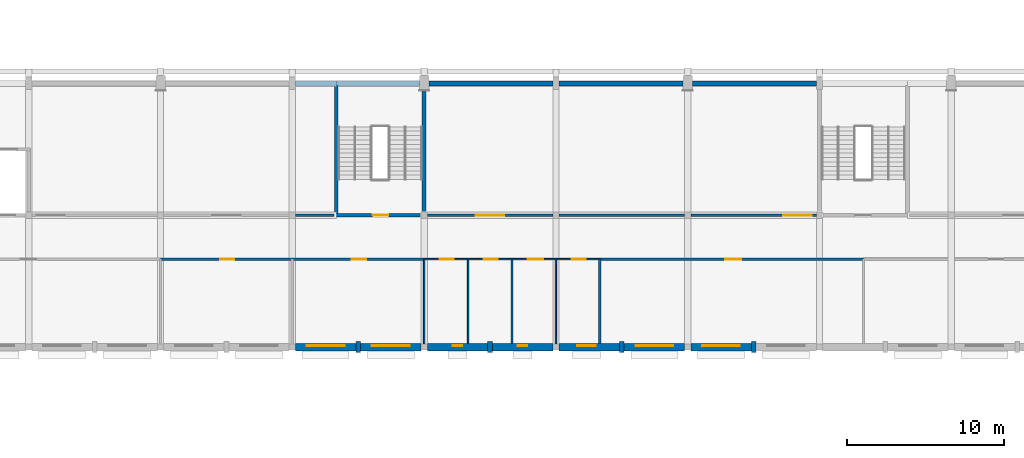
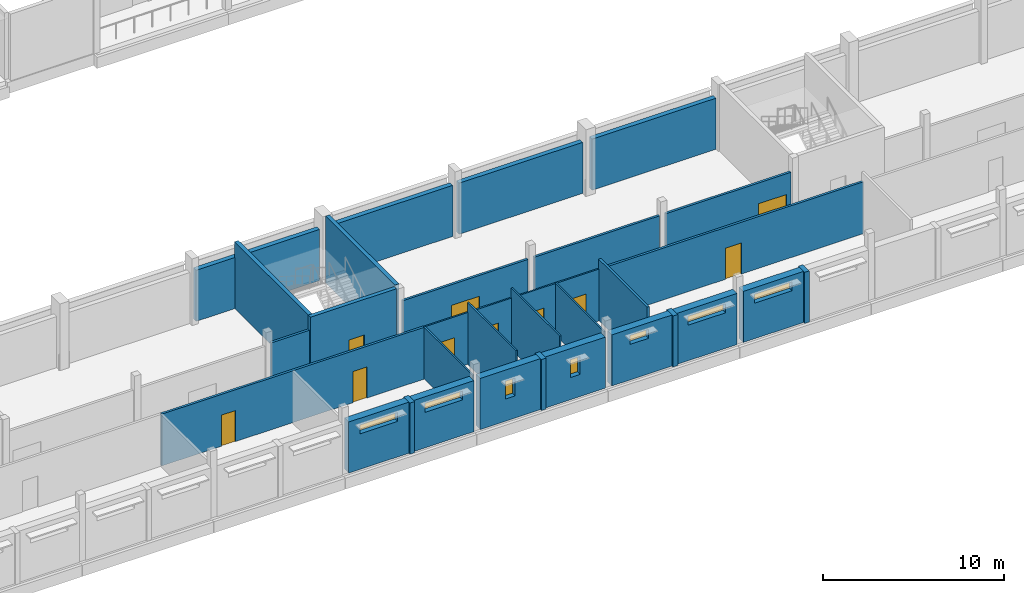
# One storey, part 33 of 60: 30 walls, 10 doors, 7 windows, 17 openings.
"""IFC4 building model written with IfcOpenShell, lengths in metres."""

import ifcopenshell
import ifcopenshell.guid

model = None  # the IFC model being written
_history = None  # IfcOwnerHistory: only IFC2X3 demands one
_inside = {}  # id of a spatial element -> (the spatial element, [elements in it])
_under = {}  # id of a project, library or spatial element -> (it, [spatial elements below it])
_declared = {}  # id of a project -> (the project, [libraries it declares])
_typed = {}  # id of a type object -> (the type object, [elements of that type])
_made_of = {}  # id of a material, layer set ... -> (it, [elements and type objects made of it])


def new_model(schema):
    """Start an empty IFC model of exactly this schema.

    Asked for "IFC4X3", IfcOpenShell would pick the latest addendum, in which some entities
    have other attributes; the version numbers below select the first issue.
    IFC2X3 requires an IfcOwnerHistory on every rooted entity: one is made here for all.
    """
    global model, _history
    if schema == "IFC4X3":
        model = ifcopenshell.file(schema_version=(4, 3, 0, 0))
    else:
        model = ifcopenshell.file(schema=schema)
    _inside.clear()
    _under.clear()
    _declared.clear()
    _typed.clear()
    _made_of.clear()
    _history = None
    if model.schema == "IFC2X3":
        org = make("IfcOrganization", Name="unknown")
        user = make(
            "IfcPersonAndOrganization",
            ThePerson=make("IfcPerson", FamilyName="unknown"),
            TheOrganization=org,
        )
        app = make(
            "IfcApplication",
            ApplicationDeveloper=org,
            Version="unknown",
            ApplicationFullName="unknown",
            ApplicationIdentifier="unknown",
        )
        _history = make(
            "IfcOwnerHistory",
            OwningUser=user,
            OwningApplication=app,
            ChangeAction="ADDED",
            CreationDate=0,
        )
    return model


def make(cls, **values):
    """One entity of the class cls with the attributes given. An attribute that is None is left unset."""
    return model.create_entity(
        cls, **{name: value for name, value in values.items() if value is not None}
    )


def rooted(cls, **values):
    """An entity with a GlobalId (a new one), such as an element, a storey or a relation."""
    return make(cls, GlobalId=ifcopenshell.guid.new(), OwnerHistory=_history, **values)


def si_unit(unit_type, name, prefix=None):
    """IfcSIUnit, for example si_unit("LENGTHUNIT", "METRE", prefix="MILLI")."""
    return make("IfcSIUnit", UnitType=unit_type, Prefix=prefix, Name=name)


def assignment(units):
    """IfcUnitAssignment: the units of a project."""
    return None if units is None else make("IfcUnitAssignment", Units=units)


def point(xyz):
    """IfcCartesianPoint."""
    return None if xyz is None else make("IfcCartesianPoint", Coordinates=xyz)


def direction(xyz):
    """IfcDirection."""
    return None if xyz is None else make("IfcDirection", DirectionRatios=xyz)


def frame(location, z_axis=None, x_axis=None):
    """IfcAxis2Placement3D, a coordinate frame: its origin and axes. An axis left out is left unset."""
    return make(
        "IfcAxis2Placement3D",
        Location=point(location),
        Axis=direction(z_axis),
        RefDirection=direction(x_axis),
    )


def frame_2d(location, x_axis=None):
    """IfcAxis2Placement2D, a coordinate frame in the plane: its origin and x axis."""
    return make(
        "IfcAxis2Placement2D", Location=point(location), RefDirection=direction(x_axis)
    )


def origin():
    """The frame at (0, 0, 0) with its axes left unset."""
    return frame((0.0, 0.0, 0.0))


def place(relative_to, where):
    """IfcLocalPlacement: puts the frame where relative to a parent placement (None: the world)."""
    return make(
        "IfcLocalPlacement", PlacementRelTo=relative_to, RelativePlacement=where
    )


def context(
    kind, dimensions, precision=None, world=None, true_north=None, identifier=None
):
    """IfcGeometricRepresentationContext, for example the 3D "Model" context."""
    return make(
        "IfcGeometricRepresentationContext",
        ContextIdentifier=identifier,
        ContextType=kind,
        CoordinateSpaceDimension=dimensions,
        Precision=precision,
        WorldCoordinateSystem=world,
        TrueNorth=true_north,
    )


def subcontext(parent, identifier, kind, view, scale=None):
    """IfcGeometricRepresentationSubContext, for example "Body" below "Model"."""
    return make(
        "IfcGeometricRepresentationSubContext",
        ContextIdentifier=identifier,
        ContextType=kind,
        ParentContext=parent,
        TargetScale=scale,
        TargetView=view,
    )


def project(units=None, contexts=None):
    """IfcProject with its units and contexts."""
    return rooted(
        "IfcProject",
        Name="project",
        RepresentationContexts=contexts,
        UnitsInContext=assignment(units),
    )


def spatial(cls, under=None, at=None, **own):
    """A site, building, storey or space (cls), placed at a placement, below another one or the project."""
    s = rooted(cls, ObjectPlacement=at, **own)
    if under is not None:
        _under.setdefault(under.id(), (under, []))[1].append(s)
    return s


def profile(cls, at=None, kind="AREA", **sizes):
    """A parametric profile (cls). Its sizes go by their IFC names, for example OverallWidth=200.0."""
    return make(cls, ProfileType=kind, Position=at, **sizes)


def rectangle(**sizes):
    """IfcRectangleProfileDef."""
    return profile("IfcRectangleProfileDef", **sizes)


def extrude(swept, where, along, depth):
    """IfcExtrudedAreaSolid: the profile swept, set in the frame where, extruded along a direction by depth."""
    return make(
        "IfcExtrudedAreaSolid",
        SweptArea=swept,
        Position=where,
        ExtrudedDirection=direction(along),
        Depth=depth,
    )


def shape(context_of_items, identifier, shape_type, items):
    """IfcShapeRepresentation: the items that make up one representation, for example the "Body"."""
    return make(
        "IfcShapeRepresentation",
        ContextOfItems=context_of_items,
        RepresentationIdentifier=identifier,
        RepresentationType=shape_type,
        Items=items,
    )


def material(Name=None, Category=None):
    """IfcMaterial."""
    return make("IfcMaterial", Name=Name, Category=Category)


def layer(
    of_material, thickness, ventilated=None, Name=None, Category=None, Priority=None
):
    """IfcMaterialLayer: one layer of a wall or slab, of a material (None: an air gap)."""
    return make(
        "IfcMaterialLayer",
        Material=of_material,
        LayerThickness=thickness,
        IsVentilated=ventilated,
        Name=Name,
        Category=Category,
        Priority=Priority,
    )


def layer_set(layers, Name=None):
    """IfcMaterialLayerSet."""
    return make("IfcMaterialLayerSet", MaterialLayers=layers, LayerSetName=Name)


def made_of(thing, what):
    """Note that an element or type object is made of a material, layer set ...; save() writes the relation."""
    if what is not None:
        _made_of.setdefault(what.id(), (what, []))[1].append(thing)
    return thing


def type_object(cls, material=None, **own):
    """A type object (cls), such as IfcWallType, which elements share."""
    return made_of(rooted(cls, **own), material)


def element(
    cls,
    number,
    at=None,
    inside=None,
    cuts=None,
    type_object=None,
    material=None,
    context=None,
    identifier="Body",
    shape_type=None,
    held_by="IfcProductDefinitionShape",
    body=None,
    shapes=None,
    **own,
):
    """One element of the class cls, such as IfcWall. Its Tag is "e" and its number.

    at: its placement. inside: the storey or other place that contains it. cuts: it is an
    opening in that element (IfcRelVoidsElement). A single representation is given by context,
    identifier, shape_type and body (its items); several are given by shapes. held_by: the class
    of the entity that holds the representations. save() writes the other relations.
    """
    e = rooted(cls, Tag="e%d" % number, ObjectPlacement=at, **own)
    if body is not None:
        shapes = [shape(context, identifier, shape_type, body)]
    if shapes is not None:
        e.Representation = make(held_by, Representations=shapes)
    if inside is not None:
        _inside.setdefault(inside.id(), (inside, []))[1].append(e)
    if cuts is not None:
        rooted(
            "IfcRelVoidsElement", RelatingBuildingElement=cuts, RelatedOpeningElement=e
        )
    if type_object is not None:
        _typed.setdefault(type_object.id(), (type_object, []))[1].append(e)
    return made_of(e, material)


def fill(opening, filler):
    """IfcRelFillsElement: the door or window that sits in an opening."""
    return rooted(
        "IfcRelFillsElement",
        RelatingOpeningElement=opening,
        RelatedBuildingElement=filler,
    )


def aggregate(whole, parts):
    """IfcRelAggregates: a whole, such as a stair, and the parts it consists of."""
    return rooted("IfcRelAggregates", RelatingObject=whole, RelatedObjects=parts)


def save(model, path):
    """Write the relations noted so far, then the file.

    IfcRelAggregates (storeys below a building ...), IfcRelContainedInSpatialStructure (elements
    in a storey), IfcRelDefinesByType, IfcRelAssociatesMaterial and IfcRelDeclares: one each for
    every whole, place, type object, material and project.
    """
    for whole, parts in _under.values():
        aggregate(whole, parts)
    for where, things in _inside.values():
        rooted(
            "IfcRelContainedInSpatialStructure",
            RelatedElements=things,
            RelatingStructure=where,
        )
    for kind, things in _typed.values():
        rooted("IfcRelDefinesByType", RelatedObjects=things, RelatingType=kind)
    for what, things in _made_of.values():
        rooted("IfcRelAssociatesMaterial", RelatedObjects=things, RelatingMaterial=what)
    for by, libraries in _declared.values():
        rooted("IfcRelDeclares", RelatingContext=by, RelatedDefinitions=libraries)
    model.write(path)


model = new_model("IFC4")

# Units and contexts
model_context = context("Model", 3, precision=1e-05, world=origin(), true_north=direction((0.0, 1.0)))
body_context = subcontext(model_context, "Body", "Model", "MODEL_VIEW")
ifc_project = project(units=[si_unit("LENGTHUNIT", "METRE"), si_unit("AREAUNIT", "SQUARE_METRE"), si_unit("VOLUMEUNIT", "CUBIC_METRE"), si_unit("PLANEANGLEUNIT", "RADIAN"), si_unit("MASSUNIT", "GRAM", prefix="KILO")], contexts=[model_context])

# Site, building, storey
site_placement = place(None, origin())
site = spatial("IfcSite", under=ifc_project, at=site_placement, CompositionType="ELEMENT")
building_placement = place(site_placement, origin())
building = spatial("IfcBuilding", under=site, at=building_placement, Name="Fescue Hill Polytechnic", CompositionType="ELEMENT")
storey_placement = place(building_placement, frame((0.0, 0.0, 4.5)))
storey = spatial("IfcBuildingStorey", under=building, at=storey_placement, Name="L01", CompositionType="ELEMENT", Elevation=4.5)

# Wall, opening, door
ifc_material_1 = material(Name="Concrete 40 MPa", Category="concrete")
ifc_layer_1 = layer(ifc_material_1, 0.25)
ifc_layer_set_1 = layer_set([ifc_layer_1], Name="Concrete 40 MPa")
wall_type_1 = type_object("IfcWallType", Name="Core wall 250", PredefinedType="SHEAR", material=ifc_layer_set_1)
wall_1_placement = place(storey_placement, frame((27.875, 8.39990234375, 0.0), z_axis=(0.0, 0.0, 1.0), x_axis=(1.0, 0.0, 0.0)))
wall_1 = element("IfcWall", 1, at=wall_1_placement, inside=storey, type_object=wall_type_1, Name="CW-L01-ST-V1-2-11", PredefinedType="SHEAR", context=body_context, shape_type="SweptSolid", body=[
    extrude(rectangle(XDim=5.5, YDim=0.25, at=frame_2d((2.75, 0.0))), origin(), (0.0, 0.0, 1.0), 4.5),
])
opening_1_placement = place(wall_1_placement, frame((2.449951171875, 0.0, 0.0)))
opening_1 = element("IfcOpeningElement", 2, at=opening_1_placement, cuts=wall_1, Name="Opening D1077", PredefinedType="OPENING", context=body_context, shape_type="SweptSolid", body=[
    extrude(rectangle(XDim=1.0, YDim=2.10009765625, at=frame_2d((0.5, 1.050048828125))), frame((0.0, 0.135009765625, 0.0), z_axis=(0.0, -1.0, 0.0), x_axis=(1.0, 0.0, 0.0)), (0.0, 0.0, 1.0), 0.27001953125),
])
ifc_material_2 = material(Name="Steel fire door", Category="steel")
door_type_1 = type_object("IfcDoorType", Name="Door single swing 1000x2100 stair fire rated", OperationType="NOTDEFINED", PredefinedType="DOOR", material=ifc_material_2)
door_1_placement = place(opening_1_placement, origin())
door_1 = element("IfcDoor", 3, at=door_1_placement, inside=storey, type_object=door_type_1, Name="L01 ST-V1-2 stair door", OperationType="SINGLE_SWING_RIGHT", OverallHeight=2.10009765625, OverallWidth=1.0, PredefinedType="DOOR", context=body_context, shape_type="SweptSolid", body=[
    extrude(rectangle(XDim=1.0, YDim=2.10009765625, at=frame_2d((0.5, 1.050048828125))), frame((0.0, 0.02490234375, 0.0), z_axis=(0.0, -1.0, 0.0), x_axis=(1.0, 0.0, 0.0)), (0.0, 0.0, 1.0), 0.050048828125),
])
fill(opening_1, door_1)

# Walls
wall_2_placement = place(storey_placement, frame((28.0, 8.52490234375, 0.0), z_axis=(0.0, 0.0, 1.0), x_axis=(0.0, 1.0, 0.0)))
element("IfcWall", 4, at=wall_2_placement, inside=storey, type_object=wall_type_1, Name="CW-L01-ST-V1-2-31", PredefinedType="SHEAR", context=body_context, shape_type="SweptSolid", body=[
    extrude(rectangle(XDim=8.150146484375, YDim=0.25, at=frame_2d((4.0751953125, 0.0))), origin(), (0.0, 0.0, 1.0), 4.5),
])
wall_3_placement = place(storey_placement, frame((33.60009765625, 8.625, 0.0), z_axis=(0.0, 0.0, 1.0), x_axis=(0.0, 1.0, 0.0)))
element("IfcWall", 5, at=wall_3_placement, inside=storey, type_object=wall_type_1, Name="CW-L01-ST-V1-2-41", PredefinedType="SHEAR", context=body_context, shape_type="SweptSolid", body=[
    extrude(rectangle(XDim=7.675048828125, YDim=0.25, at=frame_2d((3.83740234375, 0.0))), origin(), (0.0, 0.0, 1.0), 4.5),
])

# Wall, openings, doors
ifc_material_3 = material(Name="Gypsum board partition")
ifc_layer_2 = layer(ifc_material_3, 0.14990234375)
ifc_layer_set_2 = layer_set([ifc_layer_2], Name="Gypsum board partition")
wall_type_2 = type_object("IfcWallType", Name="Corridor wall 150 EI 45", PredefinedType="PARTITIONING", material=ifc_layer_set_2)
wall_4_placement = place(storey_placement, frame((16.800048828125, 5.60009765625, 0.0), z_axis=(0.0, 0.0, 1.0), x_axis=(1.0, 0.0, 0.0)))
wall_4 = element("IfcWall", 6, at=wall_4_placement, inside=storey, type_object=wall_type_2, Name="IW-L01-001", PredefinedType="PARTITIONING", context=body_context, shape_type="SweptSolid", body=[
    extrude(rectangle(XDim=16.800048828125, YDim=0.14990234375, at=frame_2d((8.39990234375, 0.0))), origin(), (0.0, 0.0, 1.0), 3.5),
])
opening_2_placement = place(wall_4_placement, frame((3.800048828125, 0.0, 0.0)))
opening_2 = element("IfcOpeningElement", 7, at=opening_2_placement, cuts=wall_4, Name="Opening D1013", PredefinedType="OPENING", context=body_context, shape_type="SweptSolid", body=[
    extrude(rectangle(XDim=0.89990234375, YDim=2.10009765625, at=frame_2d((0.449951171875, 1.050048828125))), frame((0.0, 0.0849609375, 0.0), z_axis=(0.0, -1.0, 0.0), x_axis=(1.0, 0.0, 0.0)), (0.0, 0.0, 1.0), 0.169921875),
])
opening_3_placement = place(wall_4_placement, frame((12.199951171875, 0.0, 0.0)))
opening_3 = element("IfcOpeningElement", 8, at=opening_3_placement, cuts=wall_4, Name="Opening D1014", PredefinedType="OPENING", context=body_context, shape_type="SweptSolid", body=[
    extrude(rectangle(XDim=0.89990234375, YDim=2.10009765625, at=frame_2d((0.449951171875, 1.050048828125))), frame((0.0, 0.0849609375, 0.0), z_axis=(0.0, -1.0, 0.0), x_axis=(1.0, 0.0, 0.0)), (0.0, 0.0, 1.0), 0.169921875),
])
ifc_material_4 = material(Name="Timber", Category="wood")
door_type_2 = type_object("IfcDoorType", Name="Door single swing 900x2100 FD30S", OperationType="SINGLE_SWING_LEFT", PredefinedType="DOOR", material=ifc_material_4)
door_2_placement = place(opening_2_placement, origin())
door_2 = element("IfcDoor", 9, at=door_2_placement, inside=storey, type_object=door_type_2, Name="Door D1013", OperationType="SINGLE_SWING_LEFT", OverallHeight=2.10009765625, OverallWidth=0.89990234375, PredefinedType="DOOR", context=body_context, shape_type="SweptSolid", body=[
    extrude(rectangle(XDim=0.89990234375, YDim=2.10009765625, at=frame_2d((0.449951171875, 1.050048828125))), frame((0.0, 0.02490234375, 0.0), z_axis=(0.0, -1.0, 0.0), x_axis=(1.0, 0.0, 0.0)), (0.0, 0.0, 1.0), 0.050048828125),
])
fill(opening_2, door_2)
door_3_placement = place(opening_3_placement, origin())
door_3 = element("IfcDoor", 10, at=door_3_placement, inside=storey, type_object=door_type_2, Name="Door D1014", OperationType="SINGLE_SWING_RIGHT", OverallHeight=2.10009765625, OverallWidth=0.89990234375, PredefinedType="DOOR", context=body_context, shape_type="SweptSolid", body=[
    extrude(rectangle(XDim=0.89990234375, YDim=2.10009765625, at=frame_2d((0.449951171875, 1.050048828125))), frame((0.0, 0.02490234375, 0.0), z_axis=(0.0, -1.0, 0.0), x_axis=(1.0, 0.0, 0.0)), (0.0, 0.0, 1.0), 0.050048828125),
])
fill(opening_3, door_3)

# Wall, opening, door
wall_5_placement = place(storey_placement, frame((33.800048828125, 8.39990234375, 0.0), z_axis=(0.0, 0.0, 1.0), x_axis=(1.0, 0.0, 0.0)))
wall_5 = element("IfcWall", 11, at=wall_5_placement, inside=storey, type_object=wall_type_2, Name="IW-L01-009", PredefinedType="PARTITIONING", context=body_context, shape_type="SweptSolid", body=[
    extrude(rectangle(XDim=8.0, YDim=0.14990234375, at=frame_2d((4.0, 0.0))), origin(), (0.0, 0.0, 1.0), 3.5),
])
opening_4_placement = place(wall_5_placement, frame((3.10009765625, 0.0, 0.0)))
opening_4 = element("IfcOpeningElement", 12, at=opening_4_placement, cuts=wall_5, Name="Opening D1028", PredefinedType="OPENING", context=body_context, shape_type="SweptSolid", body=[
    extrude(rectangle(XDim=1.800048828125, YDim=2.10009765625, at=frame_2d((0.89990234375, 1.050048828125))), frame((0.0, 0.0849609375, 0.0), z_axis=(0.0, -1.0, 0.0), x_axis=(1.0, 0.0, 0.0)), (0.0, 0.0, 1.0), 0.169921875),
])
door_type_3 = type_object("IfcDoorType", Name="Door double swing 1800x2100 FD30S", OperationType="DOUBLE_DOOR_SINGLE_SWING", PredefinedType="DOOR", material=ifc_material_4)
door_4_placement = place(opening_4_placement, origin())
door_4 = element("IfcDoor", 13, at=door_4_placement, inside=storey, type_object=door_type_3, Name="Door D1028", OperationType="DOUBLE_DOOR_SINGLE_SWING", OverallHeight=2.10009765625, OverallWidth=1.800048828125, PredefinedType="DOOR", context=body_context, shape_type="SweptSolid", body=[
    extrude(rectangle(XDim=1.800048828125, YDim=2.10009765625, at=frame_2d((0.89990234375, 1.050048828125))), frame((0.0, 0.02490234375, 0.0), z_axis=(0.0, -1.0, 0.0), x_axis=(1.0, 0.0, 0.0)), (0.0, 0.0, 1.0), 0.050048828125),
])
fill(opening_4, door_4)

# Wall
wall_6_placement = place(storey_placement, frame((42.199951171875, 8.39990234375, 0.0), z_axis=(0.0, 0.0, 1.0), x_axis=(1.0, 0.0, 0.0)))
element("IfcWall", 14, at=wall_6_placement, inside=storey, type_object=wall_type_2, Name="IW-L01-010", PredefinedType="PARTITIONING", context=body_context, shape_type="SweptSolid", body=[
    extrude(rectangle(XDim=8.0, YDim=0.14990234375, at=frame_2d((4.0, 0.0))), origin(), (0.0, 0.0, 1.0), 3.5),
])

# Wall, opening, door
wall_7_placement = place(storey_placement, frame((50.60009765625, 8.39990234375, 0.0), z_axis=(0.0, 0.0, 1.0), x_axis=(1.0, 0.0, 0.0)))
wall_7 = element("IfcWall", 15, at=wall_7_placement, inside=storey, type_object=wall_type_2, Name="IW-L01-011", PredefinedType="PARTITIONING", context=body_context, shape_type="SweptSolid", body=[
    extrude(rectangle(XDim=8.0, YDim=0.14990234375, at=frame_2d((4.0, 0.0))), origin(), (0.0, 0.0, 1.0), 3.5),
])
opening_5_placement = place(wall_7_placement, frame((5.89990234375, 0.0, 0.0)))
opening_5 = element("IfcOpeningElement", 16, at=opening_5_placement, cuts=wall_7, Name="Opening D1029", PredefinedType="OPENING", context=body_context, shape_type="SweptSolid", body=[
    extrude(rectangle(XDim=1.800048828125, YDim=2.10009765625, at=frame_2d((0.89990234375, 1.050048828125))), frame((0.0, 0.0849609375, 0.0), z_axis=(0.0, -1.0, 0.0), x_axis=(1.0, 0.0, 0.0)), (0.0, 0.0, 1.0), 0.169921875),
])
door_5_placement = place(opening_5_placement, origin())
door_5 = element("IfcDoor", 17, at=door_5_placement, inside=storey, type_object=door_type_3, Name="Door D1029", OperationType="DOUBLE_DOOR_SINGLE_SWING", OverallHeight=2.10009765625, OverallWidth=1.800048828125, PredefinedType="DOOR", context=body_context, shape_type="SweptSolid", body=[
    extrude(rectangle(XDim=1.800048828125, YDim=2.10009765625, at=frame_2d((0.89990234375, 1.050048828125))), frame((0.0, 0.02490234375, 0.0), z_axis=(0.0, -1.0, 0.0), x_axis=(1.0, 0.0, 0.0)), (0.0, 0.0, 1.0), 0.050048828125),
])
fill(opening_5, door_5)

# Wall, opening, window
ifc_material_5 = material(Name="Clay brick masonry", Category="masonry")
ifc_layer_3 = layer(ifc_material_5, 0.47998046875)
ifc_layer_set_3 = layer_set([ifc_layer_3], Name="Clay brick masonry")
wall_type_3 = type_object("IfcWallType", Name="Exterior wall engineering brick cavity 480", PredefinedType="SOLIDWALL", material=ifc_layer_set_3)
wall_8_placement = place(storey_placement, frame((25.39990234375, 0.0, 0.0), z_axis=(0.0, 0.0, 1.0), x_axis=(1.0, 0.0, 0.0)))
wall_8 = element("IfcWall", 18, at=wall_8_placement, inside=storey, type_object=wall_type_3, Name="EW-L01-V1-11", PredefinedType="SOLIDWALL", context=body_context, shape_type="SweptSolid", body=[
    extrude(rectangle(XDim=3.85009765625, YDim=0.47998046875, at=frame_2d((1.925048828125, 0.0))), origin(), (0.0, 0.0, 1.0), 3.449951171875),
])
opening_6_placement = place(wall_8_placement, frame((0.72509765625, 0.0, 2.39990234375)))
opening_6 = element("IfcOpeningElement", 19, at=opening_6_placement, cuts=wall_8, Name="Opening W2R", PredefinedType="OPENING", context=body_context, shape_type="SweptSolid", body=[
    extrude(rectangle(XDim=2.39990234375, YDim=0.60009765625, at=frame_2d((1.199951171875, 0.300048828125))), frame((0.0, 0.25, 0.0), z_axis=(0.0, -1.0, 0.0), x_axis=(1.0, 0.0, 0.0)), (0.0, 0.0, 1.0), 0.5),
])
ifc_material_6 = material(Name="Powder-coated aluminium and glass", Category="aluminium")
window_type_1 = type_object("IfcWindowType", Name="Window workshop high 2400x600", PartitioningType="TRIPLE_PANEL_VERTICAL", PredefinedType="WINDOW", material=ifc_material_6)
window_1_placement = place(opening_6_placement, origin())
window_1 = element("IfcWindow", 20, at=window_1_placement, inside=storey, type_object=window_type_1, Name="WN-L01-V1-8", OverallHeight=0.60009765625, OverallWidth=2.39990234375, PartitioningType="SINGLE_PANEL", PredefinedType="WINDOW", context=body_context, shape_type="SweptSolid", body=[
    extrude(rectangle(XDim=2.39990234375, YDim=0.60009765625, at=frame_2d((1.199951171875, 0.300048828125))), frame((0.0, 0.1201171875, 0.0), z_axis=(0.0, -1.0, 0.0), x_axis=(1.0, 0.0, 0.0)), (0.0, 0.0, 1.0), 0.06005859375),
])
fill(opening_6, window_1)

wall_9_placement = place(storey_placement, frame((29.550048828125, 0.0, 0.0), z_axis=(0.0, 0.0, 1.0), x_axis=(1.0, 0.0, 0.0)))
wall_9 = element("IfcWall", 21, at=wall_9_placement, inside=storey, type_object=wall_type_3, Name="EW-L01-V1-12", PredefinedType="SOLIDWALL", context=body_context, shape_type="SweptSolid", body=[
    extrude(rectangle(XDim=3.849853515625, YDim=0.47998046875, at=frame_2d((1.9248046875, 0.0))), origin(), (0.0, 0.0, 1.0), 3.449951171875),
])
opening_7_placement = place(wall_9_placement, frame((0.72509765625, 0.0, 2.39990234375)))
opening_7 = element("IfcOpeningElement", 22, at=opening_7_placement, cuts=wall_9, Name="Opening W2R", PredefinedType="OPENING", context=body_context, shape_type="SweptSolid", body=[
    extrude(rectangle(XDim=2.39990234375, YDim=0.60009765625, at=frame_2d((1.199951171875, 0.300048828125))), frame((0.0, 0.25, 0.0), z_axis=(0.0, -1.0, 0.0), x_axis=(1.0, 0.0, 0.0)), (0.0, 0.0, 1.0), 0.5),
])
window_2_placement = place(opening_7_placement, origin())
window_2 = element("IfcWindow", 23, at=window_2_placement, inside=storey, type_object=window_type_1, Name="WN-L01-V1-9", OverallHeight=0.60009765625, OverallWidth=2.39990234375, PartitioningType="SINGLE_PANEL", PredefinedType="WINDOW", context=body_context, shape_type="SweptSolid", body=[
    extrude(rectangle(XDim=2.39990234375, YDim=0.60009765625, at=frame_2d((1.199951171875, 0.300048828125))), frame((0.0, 0.1201171875, 0.0), z_axis=(0.0, -1.0, 0.0), x_axis=(1.0, 0.0, 0.0)), (0.0, 0.0, 1.0), 0.06005859375),
])
fill(opening_7, window_2)

wall_10_placement = place(storey_placement, frame((33.800048828125, 0.0, 0.0), z_axis=(0.0, 0.0, 1.0), x_axis=(1.0, 0.0, 0.0)))
wall_10 = element("IfcWall", 24, at=wall_10_placement, inside=storey, type_object=wall_type_3, Name="EW-L01-V1-13", PredefinedType="SOLIDWALL", context=body_context, shape_type="SweptSolid", body=[
    extrude(rectangle(XDim=3.849853515625, YDim=0.47998046875, at=frame_2d((1.9248046875, 0.0))), origin(), (0.0, 0.0, 1.0), 3.449951171875),
])
opening_8_placement = place(wall_10_placement, frame((1.625, 0.0, 1.5)))
opening_8 = element("IfcOpeningElement", 25, at=opening_8_placement, cuts=wall_10, Name="Opening W11", PredefinedType="OPENING", context=body_context, shape_type="SweptSolid", body=[
    extrude(rectangle(XDim=0.60009765625, YDim=1.199951171875, at=frame_2d((0.300048828125, 0.60009765625))), frame((0.0, 0.25, 0.0), z_axis=(0.0, -1.0, 0.0), x_axis=(1.0, 0.0, 0.0)), (0.0, 0.0, 1.0), 0.5),
])
window_type_2 = type_object("IfcWindowType", Name="Window WC high-level 600x1200", PartitioningType="SINGLE_PANEL", PredefinedType="WINDOW", material=ifc_material_6)
window_3_placement = place(opening_8_placement, origin())
window_3 = element("IfcWindow", 26, at=window_3_placement, inside=storey, type_object=window_type_2, Name="WN-L01-V1-10", OverallHeight=1.199951171875, OverallWidth=0.60009765625, PartitioningType="SINGLE_PANEL", PredefinedType="WINDOW", context=body_context, shape_type="SweptSolid", body=[
    extrude(rectangle(XDim=0.60009765625, YDim=1.199951171875, at=frame_2d((0.300048828125, 0.60009765625))), frame((0.0, 0.1201171875, 0.0), z_axis=(0.0, -1.0, 0.0), x_axis=(1.0, 0.0, 0.0)), (0.0, 0.0, 1.0), 0.06005859375),
])
fill(opening_8, window_3)

wall_11_placement = place(storey_placement, frame((37.949951171875, 0.0, 0.0), z_axis=(0.0, 0.0, 1.0), x_axis=(1.0, 0.0, 0.0)))
wall_11 = element("IfcWall", 27, at=wall_11_placement, inside=storey, type_object=wall_type_3, Name="EW-L01-V1-14", PredefinedType="SOLIDWALL", context=body_context, shape_type="SweptSolid", body=[
    extrude(rectangle(XDim=3.85009765625, YDim=0.47998046875, at=frame_2d((1.925048828125, 0.0))), origin(), (0.0, 0.0, 1.0), 3.449951171875),
])
opening_9_placement = place(wall_11_placement, frame((1.625, 0.0, 1.5)))
opening_9 = element("IfcOpeningElement", 28, at=opening_9_placement, cuts=wall_11, Name="Opening W11", PredefinedType="OPENING", context=body_context, shape_type="SweptSolid", body=[
    extrude(rectangle(XDim=0.60009765625, YDim=1.199951171875, at=frame_2d((0.300048828125, 0.60009765625))), frame((0.0, 0.25, 0.0), z_axis=(0.0, -1.0, 0.0), x_axis=(1.0, 0.0, 0.0)), (0.0, 0.0, 1.0), 0.5),
])
window_4_placement = place(opening_9_placement, origin())
window_4 = element("IfcWindow", 29, at=window_4_placement, inside=storey, type_object=window_type_2, Name="WN-L01-V1-11", OverallHeight=1.199951171875, OverallWidth=0.60009765625, PartitioningType="SINGLE_PANEL", PredefinedType="WINDOW", context=body_context, shape_type="SweptSolid", body=[
    extrude(rectangle(XDim=0.60009765625, YDim=1.199951171875, at=frame_2d((0.300048828125, 0.60009765625))), frame((0.0, 0.1201171875, 0.0), z_axis=(0.0, -1.0, 0.0), x_axis=(1.0, 0.0, 0.0)), (0.0, 0.0, 1.0), 0.06005859375),
])
fill(opening_9, window_4)

wall_12_placement = place(storey_placement, frame((42.199951171875, 0.0, 0.0), z_axis=(0.0, 0.0, 1.0), x_axis=(1.0, 0.0, 0.0)))
wall_12 = element("IfcWall", 30, at=wall_12_placement, inside=storey, type_object=wall_type_3, Name="EW-L01-V1-15", PredefinedType="SOLIDWALL", context=body_context, shape_type="SweptSolid", body=[
    extrude(rectangle(XDim=3.85009765625, YDim=0.47998046875, at=frame_2d((1.925048828125, 0.0))), origin(), (0.0, 0.0, 1.0), 3.449951171875),
])
opening_10_placement = place(wall_12_placement, frame((1.14990234375, 0.0, 2.39990234375)))
opening_10 = element("IfcOpeningElement", 31, at=opening_10_placement, cuts=wall_12, Name="Opening W12", PredefinedType="OPENING", context=body_context, shape_type="SweptSolid", body=[
    extrude(rectangle(XDim=1.199951171875, YDim=0.60009765625, at=frame_2d((0.60009765625, 0.300048828125))), frame((0.0, 0.25, 0.0), z_axis=(0.0, -1.0, 0.0), x_axis=(1.0, 0.0, 0.0)), (0.0, 0.0, 1.0), 0.5),
])
window_type_3 = type_object("IfcWindowType", Name="Window plant and store high-level 1200x600", PartitioningType="SINGLE_PANEL", PredefinedType="WINDOW", material=ifc_material_6)
window_5_placement = place(opening_10_placement, origin())
window_5 = element("IfcWindow", 32, at=window_5_placement, inside=storey, type_object=window_type_3, Name="WN-L01-V1-12", OverallHeight=0.60009765625, OverallWidth=1.199951171875, PartitioningType="SINGLE_PANEL", PredefinedType="WINDOW", context=body_context, shape_type="SweptSolid", body=[
    extrude(rectangle(XDim=1.199951171875, YDim=0.60009765625, at=frame_2d((0.60009765625, 0.300048828125))), frame((0.0, 0.1201171875, 0.0), z_axis=(0.0, -1.0, 0.0), x_axis=(1.0, 0.0, 0.0)), (0.0, 0.0, 1.0), 0.06005859375),
])
fill(opening_10, window_5)

wall_13_placement = place(storey_placement, frame((46.35009765625, 0.0, 0.0), z_axis=(0.0, 0.0, 1.0), x_axis=(1.0, 0.0, 0.0)))
wall_13 = element("IfcWall", 33, at=wall_13_placement, inside=storey, type_object=wall_type_3, Name="EW-L01-V1-16", PredefinedType="SOLIDWALL", context=body_context, shape_type="SweptSolid", body=[
    extrude(rectangle(XDim=3.849853515625, YDim=0.47998046875, at=frame_2d((1.9248046875, 0.0))), origin(), (0.0, 0.0, 1.0), 3.449951171875),
])
opening_11_placement = place(wall_13_placement, frame((0.72509765625, 0.0, 2.39990234375)))
opening_11 = element("IfcOpeningElement", 34, at=opening_11_placement, cuts=wall_13, Name="Opening W2R", PredefinedType="OPENING", context=body_context, shape_type="SweptSolid", body=[
    extrude(rectangle(XDim=2.39990234375, YDim=0.60009765625, at=frame_2d((1.199951171875, 0.300048828125))), frame((0.0, 0.25, 0.0), z_axis=(0.0, -1.0, 0.0), x_axis=(1.0, 0.0, 0.0)), (0.0, 0.0, 1.0), 0.5),
])
window_6_placement = place(opening_11_placement, origin())
window_6 = element("IfcWindow", 35, at=window_6_placement, inside=storey, type_object=window_type_1, Name="WN-L01-V1-13", OverallHeight=0.60009765625, OverallWidth=2.39990234375, PartitioningType="SINGLE_PANEL", PredefinedType="WINDOW", context=body_context, shape_type="SweptSolid", body=[
    extrude(rectangle(XDim=2.39990234375, YDim=0.60009765625, at=frame_2d((1.199951171875, 0.300048828125))), frame((0.0, 0.1201171875, 0.0), z_axis=(0.0, -1.0, 0.0), x_axis=(1.0, 0.0, 0.0)), (0.0, 0.0, 1.0), 0.06005859375),
])
fill(opening_11, window_6)

wall_14_placement = place(storey_placement, frame((50.60009765625, 0.0, 0.0), z_axis=(0.0, 0.0, 1.0), x_axis=(1.0, 0.0, 0.0)))
wall_14 = element("IfcWall", 36, at=wall_14_placement, inside=storey, type_object=wall_type_3, Name="EW-L01-V1-17", PredefinedType="SOLIDWALL", context=body_context, shape_type="SweptSolid", body=[
    extrude(rectangle(XDim=3.849853515625, YDim=0.47998046875, at=frame_2d((1.9248046875, 0.0))), origin(), (0.0, 0.0, 1.0), 3.449951171875),
])
opening_12_placement = place(wall_14_placement, frame((0.72509765625, 0.0, 2.39990234375)))
opening_12 = element("IfcOpeningElement", 37, at=opening_12_placement, cuts=wall_14, Name="Opening W2R", PredefinedType="OPENING", context=body_context, shape_type="SweptSolid", body=[
    extrude(rectangle(XDim=2.39990234375, YDim=0.60009765625, at=frame_2d((1.199951171875, 0.300048828125))), frame((0.0, 0.25, 0.0), z_axis=(0.0, -1.0, 0.0), x_axis=(1.0, 0.0, 0.0)), (0.0, 0.0, 1.0), 0.5),
])
window_7_placement = place(opening_12_placement, origin())
window_7 = element("IfcWindow", 38, at=window_7_placement, inside=storey, type_object=window_type_1, Name="WN-L01-V1-14", OverallHeight=0.60009765625, OverallWidth=2.39990234375, PartitioningType="SINGLE_PANEL", PredefinedType="WINDOW", context=body_context, shape_type="SweptSolid", body=[
    extrude(rectangle(XDim=2.39990234375, YDim=0.60009765625, at=frame_2d((1.199951171875, 0.300048828125))), frame((0.0, 0.1201171875, 0.0), z_axis=(0.0, -1.0, 0.0), x_axis=(1.0, 0.0, 0.0)), (0.0, 0.0, 1.0), 0.06005859375),
])
fill(opening_12, window_7)

# Walls
ifc_layer_4 = layer(ifc_material_1, 0.699951171875)
ifc_layer_set_4 = layer_set([ifc_layer_4], Name="Concrete 40 MPa")
wall_type_4 = type_object("IfcWallType", Name="Fin wall board-marked 300x700", PredefinedType="SOLIDWALL", material=ifc_layer_set_4)
for number, where, z_axis, x_axis, name in (
    (39, (29.25, 0.0, 0.0), (0.0, 0.0, 1.0), (1.0, 0.0, 0.0), "PR-L01-V1-6"),
    (40, (37.64990234375, 0.0, 0.0), (0.0, 0.0, 1.0), (1.0, 0.0, 0.0), "PR-L01-V1-7"),
    (41, (46.050048828125, 0.0, 0.0), (0.0, 0.0, 1.0), (1.0, 0.0, 0.0), "PR-L01-V1-8"),
    (42, (54.449951171875, 0.0, 0.0), (0.0, 0.0, 1.0), (1.0, 0.0, 0.0), "PR-L01-V1-9"),
):
    element("IfcWall", number, at=place(storey_placement, frame(where, z_axis=z_axis, x_axis=x_axis)), inside=storey, type_object=wall_type_4, Name=name, PredefinedType="SOLIDWALL", context=body_context, shape_type="SweptSolid", body=[
        extrude(rectangle(XDim=0.300048828125, YDim=0.699951171875, at=frame_2d((0.14990234375, 0.0))), origin(), (0.0, 0.0, 1.0), 3.449951171875),
    ])
ifc_layer_5 = layer(ifc_material_1, 0.300048828125)
ifc_layer_set_5 = layer_set([ifc_layer_5], Name="Concrete 40 MPa")
wall_type_5 = type_object("IfcWallType", Name="Hall wall concrete 300 fire rated", PredefinedType="SOLIDWALL", material=ifc_layer_set_5)
for number, where, z_axis, x_axis, name in (
    (43, (58.60009765625, 16.800048828125, 0.0), (0.0, 0.0, 1.0), (-1.0, 0.0, 0.0), "EW-L01-V1-44"),
    (44, (50.10009765625, 16.800048828125, 0.0), (0.0, 0.0, 1.0), (-1.0, 0.0, 0.0), "EW-L01-V1-45"),
    (45, (41.800048828125, 16.800048828125, 0.0), (0.0, 0.0, 1.0), (-1.0, 0.0, 0.0), "EW-L01-V1-46"),
):
    element("IfcWall", number, at=place(storey_placement, frame(where, z_axis=z_axis, x_axis=x_axis)), inside=storey, type_object=wall_type_5, Name=name, PredefinedType="SOLIDWALL", context=body_context, shape_type="SweptSolid", body=[
        extrude(rectangle(XDim=7.900146484375, YDim=0.300048828125, at=frame_2d((3.9501953125, 0.0))), origin(), (0.0, 0.0, 1.0), 3.449951171875),
    ])
ifc_layer_6 = layer(ifc_material_1, 0.300048828125)
ifc_layer_set_6 = layer_set([ifc_layer_6], Name="Concrete 40 MPa")
wall_type_6 = type_object("IfcWallType", Name="Hall wall concrete 300 load-bearing REI 120", PredefinedType="SOLIDWALL", material=ifc_layer_set_6)
wall_15_placement = place(storey_placement, frame((33.300048828125, 16.800048828125, 0.0), z_axis=(0.0, 0.0, 1.0), x_axis=(-1.0, 0.0, 0.0)))
element("IfcWall", 46, at=wall_15_placement, inside=storey, type_object=wall_type_6, Name="EW-L01-V1-47", PredefinedType="SOLIDWALL", context=body_context, shape_type="SweptSolid", body=[
    extrude(rectangle(XDim=7.900146484375, YDim=0.300048828125, at=frame_2d((3.9501953125, 0.0))), origin(), (0.0, 0.0, 1.0), 3.449951171875),
])

# Wall, opening, door
ifc_material_7 = material(Name="Concrete masonry block 15 MPa", Category="masonry")
ifc_layer_7 = layer(ifc_material_7, 0.14990234375)
ifc_layer_set_7 = layer_set([ifc_layer_7], Name="Concrete masonry block 15 MPa")
wall_type_7 = type_object("IfcWallType", Name="Laboratory wall 150 block EI 60", PredefinedType="PARTITIONING", material=ifc_layer_set_7)
wall_16_placement = place(storey_placement, frame((44.800048828125, 5.60009765625, 0.0), z_axis=(0.0, 0.0, 1.0), x_axis=(1.0, 0.0, 0.0)))
wall_16 = element("IfcWall", 47, at=wall_16_placement, inside=storey, type_object=wall_type_7, Name="IW-L01-005", PredefinedType="PARTITIONING", context=body_context, shape_type="SweptSolid", body=[
    extrude(rectangle(XDim=16.800048828125, YDim=0.14990234375, at=frame_2d((8.39990234375, 0.0))), origin(), (0.0, 0.0, 1.0), 3.5),
])
opening_13_placement = place(wall_16_placement, frame((8.0, 0.0, 0.0)))
opening_13 = element("IfcOpeningElement", 48, at=opening_13_placement, cuts=wall_16, Name="Opening D1019", PredefinedType="OPENING", context=body_context, shape_type="SweptSolid", body=[
    extrude(rectangle(XDim=1.0, YDim=2.10009765625, at=frame_2d((0.5, 1.050048828125))), frame((0.0, 0.0849609375, 0.0), z_axis=(0.0, -1.0, 0.0), x_axis=(1.0, 0.0, 0.0)), (0.0, 0.0, 1.0), 0.169921875),
])
ifc_material_8 = material(Name="Steel", Category="steel")
door_type_4 = type_object("IfcDoorType", Name="Door single swing 1000x2100 FD60", OperationType="SINGLE_SWING_LEFT", PredefinedType="DOOR", material=ifc_material_8)
door_6_placement = place(opening_13_placement, origin())
door_6 = element("IfcDoor", 49, at=door_6_placement, inside=storey, type_object=door_type_4, Name="Door D1019", OperationType="SINGLE_SWING_RIGHT", OverallHeight=2.10009765625, OverallWidth=1.0, PredefinedType="DOOR", context=body_context, shape_type="SweptSolid", body=[
    extrude(rectangle(XDim=1.0, YDim=2.10009765625, at=frame_2d((0.5, 1.050048828125))), frame((0.0, 0.02490234375, 0.0), z_axis=(0.0, -1.0, 0.0), x_axis=(1.0, 0.0, 0.0)), (0.0, 0.0, 1.0), 0.050048828125),
])
fill(opening_13, door_6)

# Walls
wall_17_placement = place(storey_placement, frame((25.39990234375, 8.39990234375, 0.0), z_axis=(0.0, 0.0, 1.0), x_axis=(1.0, 0.0, 0.0)))
element("IfcWall", 50, at=wall_17_placement, inside=storey, type_object=wall_type_7, Name="IW-L01-018", PredefinedType="PARTITIONING", context=body_context, shape_type="SweptSolid", body=[
    extrude(rectangle(XDim=2.4501953125, YDim=0.14990234375, at=frame_2d((1.22509765625, 0.0))), origin(), (0.0, 0.0, 1.0), 3.60009765625),
])
wall_18_placement = place(storey_placement, frame((44.800048828125, 0.239990234375, 0.0), z_axis=(0.0, 0.0, 1.0), x_axis=(0.0, 1.0, 0.0)))
element("IfcWall", 51, at=wall_18_placement, inside=storey, type_object=wall_type_7, Name="IW-L01-083", PredefinedType="PARTITIONING", context=body_context, shape_type="SweptSolid", body=[
    extrude(rectangle(XDim=5.360107421875, YDim=0.14990234375, at=frame_2d((2.68017578125, 0.0))), origin(), (0.0, 0.0, 1.0), 4.14990234375),
])

# Wall, openings, doors
ifc_layer_8 = layer(ifc_material_3, 0.10009765625)
ifc_layer_set_8 = layer_set([ifc_layer_8], Name="Gypsum board partition")
wall_type_8 = type_object("IfcWallType", Name="WC partition 100 moisture resistant", PredefinedType="PARTITIONING", material=ifc_layer_set_8)
wall_19_placement = place(storey_placement, frame((33.60009765625, 5.60009765625, 0.0), z_axis=(0.0, 0.0, 1.0), x_axis=(1.0, 0.0, 0.0)))
wall_19 = element("IfcWall", 52, at=wall_19_placement, inside=storey, type_object=wall_type_8, Name="IW-L01-007", PredefinedType="PARTITIONING", context=body_context, shape_type="SweptSolid", body=[
    extrude(rectangle(XDim=11.199951171875, YDim=0.10009765625, at=frame_2d((5.60009765625, 0.0))), origin(), (0.0, 0.0, 1.0), 3.5),
])
opening_14_placement = place(wall_19_placement, frame((1.0, 0.0, 0.0)))
opening_14 = element("IfcOpeningElement", 53, at=opening_14_placement, cuts=wall_19, Name="Opening D1015", PredefinedType="OPENING", context=body_context, shape_type="SweptSolid", body=[
    extrude(rectangle(XDim=0.89990234375, YDim=2.10009765625, at=frame_2d((0.449951171875, 1.050048828125))), frame((0.0, 0.06005859375, 0.0), z_axis=(0.0, -1.0, 0.0), x_axis=(1.0, 0.0, 0.0)), (0.0, 0.0, 1.0), 0.1201171875),
])
opening_15_placement = place(wall_19_placement, frame((3.800048828125, 0.0, 0.0)))
opening_15 = element("IfcOpeningElement", 54, at=opening_15_placement, cuts=wall_19, Name="Opening D1016", PredefinedType="OPENING", context=body_context, shape_type="SweptSolid", body=[
    extrude(rectangle(XDim=0.89990234375, YDim=2.10009765625, at=frame_2d((0.449951171875, 1.050048828125))), frame((0.0, 0.06005859375, 0.0), z_axis=(0.0, -1.0, 0.0), x_axis=(1.0, 0.0, 0.0)), (0.0, 0.0, 1.0), 0.1201171875),
])
opening_16_placement = place(wall_19_placement, frame((6.60009765625, 0.0, 0.0)))
opening_16 = element("IfcOpeningElement", 55, at=opening_16_placement, cuts=wall_19, Name="Opening D1017", PredefinedType="OPENING", context=body_context, shape_type="SweptSolid", body=[
    extrude(rectangle(XDim=1.0, YDim=2.10009765625, at=frame_2d((0.5, 1.050048828125))), frame((0.0, 0.06005859375, 0.0), z_axis=(0.0, -1.0, 0.0), x_axis=(1.0, 0.0, 0.0)), (0.0, 0.0, 1.0), 0.1201171875),
])
opening_17_placement = place(wall_19_placement, frame((9.39990234375, 0.0, 0.0)))
opening_17 = element("IfcOpeningElement", 56, at=opening_17_placement, cuts=wall_19, Name="Opening D1018", PredefinedType="OPENING", context=body_context, shape_type="SweptSolid", body=[
    extrude(rectangle(XDim=0.89990234375, YDim=2.10009765625, at=frame_2d((0.449951171875, 1.050048828125))), frame((0.0, 0.06005859375, 0.0), z_axis=(0.0, -1.0, 0.0), x_axis=(1.0, 0.0, 0.0)), (0.0, 0.0, 1.0), 0.1201171875),
])
door_type_5 = type_object("IfcDoorType", Name="Door single swing 1000x2100 accessible WC", OperationType="SINGLE_SWING_LEFT", PredefinedType="DOOR", material=ifc_material_4)
door_7_placement = place(opening_16_placement, origin())
door_7 = element("IfcDoor", 57, at=door_7_placement, inside=storey, type_object=door_type_5, Name="Door D1017", OperationType="SINGLE_SWING_RIGHT", OverallHeight=2.10009765625, OverallWidth=1.0, PredefinedType="DOOR", context=body_context, shape_type="SweptSolid", body=[
    extrude(rectangle(XDim=1.0, YDim=2.10009765625, at=frame_2d((0.5, 1.050048828125))), frame((0.0, 0.02490234375, 0.0), z_axis=(0.0, -1.0, 0.0), x_axis=(1.0, 0.0, 0.0)), (0.0, 0.0, 1.0), 0.050048828125),
])
fill(opening_16, door_7)
door_type_6 = type_object("IfcDoorType", Name="Door single swing 900x2100 WC", OperationType="SINGLE_SWING_LEFT", PredefinedType="DOOR", material=ifc_material_4)
door_8_placement = place(opening_14_placement, origin())
door_8 = element("IfcDoor", 58, at=door_8_placement, inside=storey, type_object=door_type_6, Name="Door D1015", OperationType="SINGLE_SWING_LEFT", OverallHeight=2.10009765625, OverallWidth=0.89990234375, PredefinedType="DOOR", context=body_context, shape_type="SweptSolid", body=[
    extrude(rectangle(XDim=0.89990234375, YDim=2.10009765625, at=frame_2d((0.449951171875, 1.050048828125))), frame((0.0, 0.02490234375, 0.0), z_axis=(0.0, -1.0, 0.0), x_axis=(1.0, 0.0, 0.0)), (0.0, 0.0, 1.0), 0.050048828125),
])
fill(opening_14, door_8)
door_9_placement = place(opening_15_placement, origin())
door_9 = element("IfcDoor", 59, at=door_9_placement, inside=storey, type_object=door_type_6, Name="Door D1016", OperationType="SINGLE_SWING_LEFT", OverallHeight=2.10009765625, OverallWidth=0.89990234375, PredefinedType="DOOR", context=body_context, shape_type="SweptSolid", body=[
    extrude(rectangle(XDim=0.89990234375, YDim=2.10009765625, at=frame_2d((0.449951171875, 1.050048828125))), frame((0.0, 0.02490234375, 0.0), z_axis=(0.0, -1.0, 0.0), x_axis=(1.0, 0.0, 0.0)), (0.0, 0.0, 1.0), 0.050048828125),
])
fill(opening_15, door_9)
door_type_7 = type_object("IfcDoorType", Name="Door single swing 900x2100 store", OperationType="SINGLE_SWING_LEFT", PredefinedType="DOOR", material=ifc_material_4)
door_10_placement = place(opening_17_placement, origin())
door_10 = element("IfcDoor", 60, at=door_10_placement, inside=storey, type_object=door_type_7, Name="Door D1018", OperationType="SINGLE_SWING_RIGHT", OverallHeight=2.10009765625, OverallWidth=0.89990234375, PredefinedType="DOOR", context=body_context, shape_type="SweptSolid", body=[
    extrude(rectangle(XDim=0.89990234375, YDim=2.10009765625, at=frame_2d((0.449951171875, 1.050048828125))), frame((0.0, 0.02490234375, 0.0), z_axis=(0.0, -1.0, 0.0), x_axis=(1.0, 0.0, 0.0)), (0.0, 0.0, 1.0), 0.050048828125),
])
fill(opening_17, door_10)

# Walls
wall_20_placement = place(storey_placement, frame((33.60009765625, 0.199951171875, 0.0), z_axis=(0.0, 0.0, 1.0), x_axis=(0.0, 1.0, 0.0)))
element("IfcWall", 61, at=wall_20_placement, inside=storey, type_object=wall_type_8, Name="IW-L01-078", PredefinedType="PARTITIONING", context=body_context, shape_type="SweptSolid", body=[
    extrude(rectangle(XDim=5.400146484375, YDim=0.10009765625, at=frame_2d((2.7001953125, 0.0))), origin(), (0.0, 0.0, 1.0), 3.5),
])
for number, where, z_axis, x_axis, name in (
    (62, (36.39990234375, 0.239990234375, 0.0), (0.0, 0.0, 1.0), (0.0, 1.0, 0.0), "IW-L01-079"),
    (63, (39.199951171875, 0.239990234375, 0.0), (0.0, 0.0, 1.0), (0.0, 1.0, 0.0), "IW-L01-080"),
):
    element("IfcWall", number, at=place(storey_placement, frame(where, z_axis=z_axis, x_axis=x_axis)), inside=storey, type_object=wall_type_8, Name=name, PredefinedType="PARTITIONING", context=body_context, shape_type="SweptSolid", body=[
        extrude(rectangle(XDim=5.360107421875, YDim=0.10009765625, at=frame_2d((2.68017578125, 0.0))), origin(), (0.0, 0.0, 1.0), 4.14990234375),
    ])
wall_21_placement = place(storey_placement, frame((42.0, 0.199951171875, 0.0), z_axis=(0.0, 0.0, 1.0), x_axis=(0.0, 1.0, 0.0)))
element("IfcWall", 64, at=wall_21_placement, inside=storey, type_object=wall_type_8, Name="IW-L01-081", PredefinedType="PARTITIONING", context=body_context, shape_type="SweptSolid", body=[
    extrude(rectangle(XDim=5.400146484375, YDim=0.10009765625, at=frame_2d((2.7001953125, 0.0))), origin(), (0.0, 0.0, 1.0), 3.5),
])

save(model, "model.ifc")
